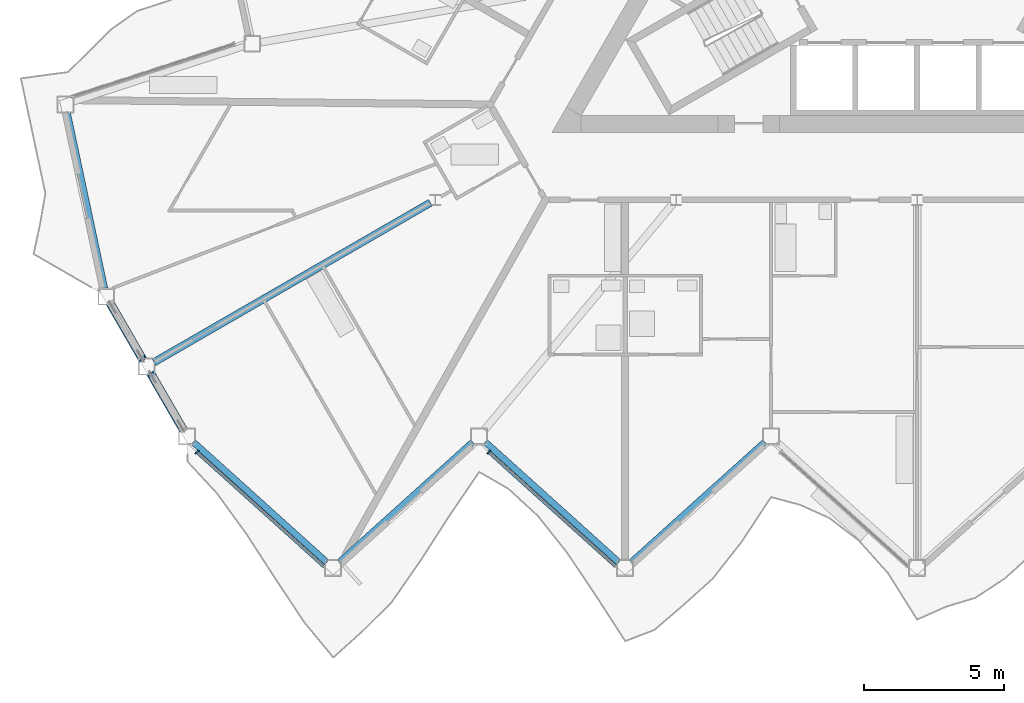
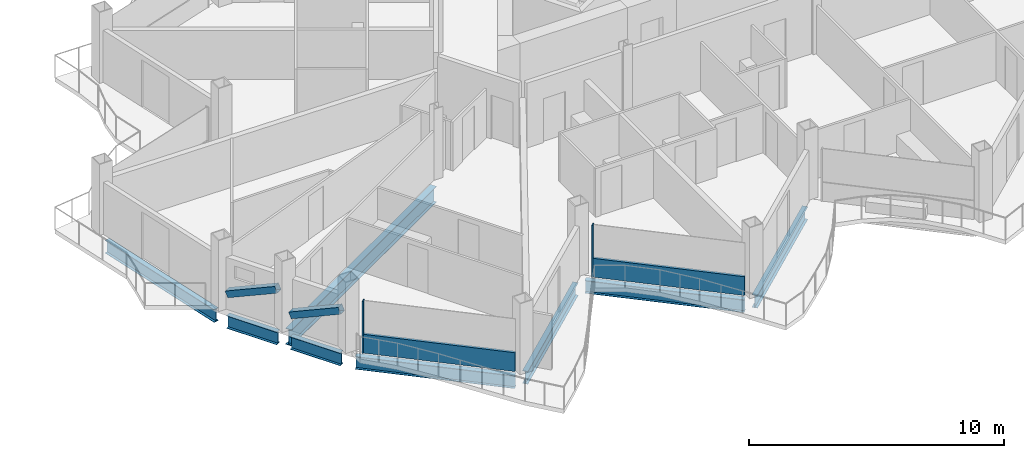
# One storey, part 4 of 27: 8 beams, 6 members, 2 elements without a shape of their own.
"""IFC4 building model written with IfcOpenShell, lengths in metres."""

from ifc_helpers import new_model, si_unit, direction, frame, origin, origin_2d, place, context, subcontext, project, spatial, rectangle, hollow_rectangle, i_section, extrude, material, layer, layer_set, material_profile, profile_set, type_object, element, aggregate, save


model = new_model("IFC4")

# Units and contexts
model_context = context("Model", 3, precision=1e-05, world=origin(), true_north=direction((0.0, 1.0)))
body_context = subcontext(model_context, "Body", "Model", "MODEL_VIEW")
ifc_project = project(units=[si_unit("LENGTHUNIT", "METRE"), si_unit("AREAUNIT", "SQUARE_METRE"), si_unit("VOLUMEUNIT", "CUBIC_METRE"), si_unit("PLANEANGLEUNIT", "RADIAN"), si_unit("MASSUNIT", "GRAM", prefix="KILO")], contexts=[model_context])

# Site, building, storey
site_placement = place(None, origin())
site = spatial("IfcSite", under=ifc_project, at=site_placement, CompositionType="ELEMENT")
building_placement = place(site_placement, origin())
building = spatial("IfcBuilding", under=site, at=building_placement, Name="Cormorant Prow Tower", CompositionType="ELEMENT")
storey_placement = place(building_placement, frame((0.0, 0.0, 332.39990234375)))
storey = spatial("IfcBuildingStorey", under=building, at=storey_placement, Name="L74", CompositionType="ELEMENT", Elevation=332.39990234375)

# Members
ifc_material_1 = material(Name="Structural steel ASTM A500 Gr C", Category="steel")
ifc_material_profile_1 = material_profile(ifc_material_1, hollow_rectangle(XDim=0.3046875, YDim=0.3046875, WallThickness=0.01171875, at=origin_2d()), Name="HSS12x12x1/2")
ifc_profile_set_1 = profile_set([ifc_material_profile_1], Name="Structural steel ASTM A500 Gr C")
member_type_1 = type_object("IfcMemberType", Name="Chamfer brace HSS12x12x1/2", PredefinedType="BRACE", material=ifc_profile_set_1)
for number, where, z_axis, x_axis, name in (
    (1, (-28.711669921875, -13.621826171875, 0.7412109375), (0.456265706889, -0.790324476185, 0.408911759503), (0.866038851724, 0.499976706761, 0.0), "Chamfer brace BR3 at WSW00 L74"),
    (2, (-27.27490234375, -16.110595703125, 0.7412109375), (0.456265706889, -0.790324476185, 0.408911759503), (0.866038851724, 0.499976706761, 0.0), "Chamfer brace BR3 at WSW01 L74"),
):
    element("IfcMember", number, at=place(storey_placement, frame(where, z_axis=z_axis, x_axis=x_axis)), inside=storey, type_object=member_type_1, Name=name, PredefinedType="BRACE", context=body_context, shape_type="SweptSolid", body=[
        extrude(hollow_rectangle(XDim=0.3046875, YDim=0.3046875, WallThickness=0.01171875, at=origin_2d()), origin(), (0.0, 0.0, 1.0), 2.459228515625),
    ])

# Beam
ifc_material_2 = material(Name="Structural steel ASTM A992 Gr 50", Category="steel")
ifc_material_profile_2 = material_profile(ifc_material_2, i_section(OverallWidth=0.267822265625, OverallDepth=0.77001953125, WebThickness=0.015625, FlangeThickness=0.025390625, at=origin_2d()), Name="W30x132")
ifc_profile_set_2 = profile_set([ifc_material_profile_2], Name="Structural steel ASTM A992 Gr 50")
beam_type_1 = type_object("IfcBeamType", Name="Radial floor beam W30x132", PredefinedType="BEAM", material=ifc_profile_set_2)
beam_1_placement = place(storey_placement, frame((-17.328125, -10.00439453125, -0.684814453125), z_axis=(-0.866024637028, -0.500001328059, 0.0), x_axis=(0.500001328059, -0.866024637028, 0.0)))
element("IfcBeam", 3, at=beam_1_placement, inside=storey, type_object=beam_type_1, Name="Radial floor beam FB3 5 L74", PredefinedType="BEAM", context=body_context, shape_type="SweptSolid", body=[
    extrude(i_section(OverallWidth=0.267822265625, OverallDepth=0.77001953125, WebThickness=0.015625, FlangeThickness=0.025390625, at=origin_2d()), origin(), (0.0, 0.0, 1.0), 11.3671875),
])

# Curtain wall, member
ifc_material_3 = material(Name="Aluminium 6063-T6", Category="aluminium")
ifc_layer = layer(ifc_material_3, 0.159912109375)
ifc_layer_set = layer_set([ifc_layer], Name="Aluminium 6063-T6")
curtain_wall_type = type_object("IfcCurtainWallType", Name="Residential unitised curtain wall 160", PredefinedType="NOTDEFINED", material=ifc_layer_set)
curtain_wall_1_placement = place(storey_placement, origin())
curtain_wall_1 = element("IfcCurtainWall", 4, at=curtain_wall_1_placement, inside=storey, type_object=curtain_wall_type, Name="Residential curtain wall S00", PredefinedType="NOTDEFINED")
ifc_material_4 = material(Name="Aluminium 6063-T6", Category="aluminium")
ifc_material_profile_3 = material_profile(ifc_material_4, rectangle(XDim=0.159912109375, YDim=0.050048828125, at=origin_2d()), Name="Residential mullion 50x160")
ifc_profile_set_3 = profile_set([ifc_material_profile_3], Name="Aluminium 6063-T6")
member_type_2 = type_object("IfcMemberType", Name="Residential mullion 50x160", PredefinedType="MULLION", material=ifc_profile_set_3)
member_1_placement = place(storey_placement, frame((-25.640380859375, -18.885009765625, 0.0), z_axis=(0.0, 0.0, 1.0), x_axis=(0.669130588628, 0.743144841442, 0.0)))
member_1 = element("IfcMember", 5, at=member_1_placement, type_object=member_type_2, Name="Residential mullion S00", PredefinedType="MULLION", context=body_context, shape_type="SweptSolid", body=[
    extrude(rectangle(XDim=0.159912109375, YDim=0.050048828125, at=origin_2d()), origin(), (0.0, 0.0, 1.0), 2.488037109375),
])

curtain_wall_2_placement = place(storey_placement, origin())
curtain_wall_2 = element("IfcCurtainWall", 6, at=curtain_wall_2_placement, inside=storey, type_object=curtain_wall_type, Name="Residential curtain wall S02", PredefinedType="NOTDEFINED")
member_2_placement = place(storey_placement, frame((-15.247802734375, -18.885009765625, 0.0), z_axis=(0.0, 0.0, 1.0), x_axis=(0.669130588628, 0.743144841442, 0.0)))
member_2 = element("IfcMember", 7, at=member_2_placement, type_object=member_type_2, Name="Residential mullion S02", PredefinedType="MULLION", context=body_context, shape_type="SweptSolid", body=[
    extrude(rectangle(XDim=0.159912109375, YDim=0.050048828125, at=origin_2d()), origin(), (0.0, 0.0, 1.0), 2.488037109375),
])

# Member
ifc_material_5 = material(Name="Terracotta", Category="masonry")
ifc_material_profile_4 = material_profile(ifc_material_5, rectangle(XDim=0.1201171875, YDim=0.89990234375, at=origin_2d()), Name="Residential terracotta spandrel rail 120x900")
ifc_profile_set_4 = profile_set([ifc_material_profile_4], Name="Terracotta")
member_type_3 = type_object("IfcMemberType", Name="Residential terracotta spandrel rail 120x900", PredefinedType="USERDEFINED", material=ifc_profile_set_4)
member_3_placement = place(storey_placement, frame((-25.62158203125, -18.901611328125, 0.4501953125), z_axis=(0.743136238665, -0.669140142857, 0.0), x_axis=(0.669140142857, 0.743136238665, 0.0)))
member_3 = element("IfcMember", 8, at=member_3_placement, type_object=member_type_3, Name="Residential spandrel rail S00", ObjectType="TRANSOM", PredefinedType="USERDEFINED", context=body_context, shape_type="SweptSolid", body=[
    extrude(rectangle(XDim=0.1201171875, YDim=0.89990234375, at=origin_2d()), origin(), (0.0, 0.0, 1.0), 6.07421875),
])

aggregate(curtain_wall_1, [member_1, member_3])

member_4_placement = place(storey_placement, frame((-15.229248046875, -18.901611328125, 0.4501953125), z_axis=(0.743154234406, -0.669120156538, 0.0), x_axis=(0.669120156538, 0.743154234406, 0.0)))
member_4 = element("IfcMember", 9, at=member_4_placement, type_object=member_type_3, Name="Residential spandrel rail S02", ObjectType="TRANSOM", PredefinedType="USERDEFINED", context=body_context, shape_type="SweptSolid", body=[
    extrude(rectangle(XDim=0.1201171875, YDim=0.89990234375, at=origin_2d()), origin(), (0.0, 0.0, 1.0), 6.07421875),
])

aggregate(curtain_wall_2, [member_2, member_4])

# Beams
ifc_material_6 = material(Name="Structural steel ASTM A992 Gr 50", Category="steel")
ifc_material_profile_5 = material_profile(ifc_material_6, i_section(OverallWidth=0.22900390625, OverallDepth=0.612060546875, WebThickness=0.011962890625, FlangeThickness=0.01953125, at=origin_2d()), Name="W24x84")
ifc_profile_set_5 = profile_set([ifc_material_profile_5], Name="Structural steel ASTM A992 Gr 50")
beam_type_2 = type_object("IfcBeamType", Name="Spandrel beam W24x84", PredefinedType="SPANDREL", material=ifc_profile_set_5)
beam_2_placement = place(storey_placement, frame((-25.7724609375, -18.527587890625, -0.60595703125), z_axis=(0.743144186555, -0.669131315954, 0.0), x_axis=(0.669131315954, 0.743144186555, 0.0)))
element("IfcBeam", 10, at=beam_2_placement, inside=storey, type_object=beam_type_2, Name="Spandrel beam SB3 S00-S01 L74", PredefinedType="SPANDREL", context=body_context, shape_type="SweptSolid", body=[
    extrude(i_section(OverallWidth=0.22900390625, OverallDepth=0.612060546875, WebThickness=0.011962890625, FlangeThickness=0.01953125, at=origin_2d()), origin(), (0.0, 0.0, 1.0), 6.39599609375),
])
beam_3_placement = place(storey_placement, frame((-20.573486328125, -22.807373046875, -0.60595703125), z_axis=(0.743161276225, 0.669112335502, 0.0), x_axis=(-0.669112335502, 0.743161276225, 0.0)))
element("IfcBeam", 11, at=beam_3_placement, inside=storey, type_object=beam_type_2, Name="Spandrel beam SB3 S01-S02 L74", PredefinedType="SPANDREL", context=body_context, shape_type="SweptSolid", body=[
    extrude(i_section(OverallWidth=0.22900390625, OverallDepth=0.612060546875, WebThickness=0.011962890625, FlangeThickness=0.01953125, at=origin_2d()), origin(), (0.0, 0.0, 1.0), 6.396240234375),
])
for number, where, z_axis, x_axis, name in (
    (12, (-15.374267578125, -18.527587890625, -0.60595703125), (0.743144186555, -0.669131315954, 0.0), (0.669131315954, 0.743144186555, 0.0), "Spandrel beam SB3 S02-S03 L74"),
    (13, (-10.17529296875, -22.807373046875, -0.60595703125), (0.743144186555, 0.669131315954, 0.0), (-0.669131315954, 0.743144186555, 0.0), "Spandrel beam SB3 S03-S04 L74"),
):
    element("IfcBeam", number, at=place(storey_placement, frame(where, z_axis=z_axis, x_axis=x_axis)), inside=storey, type_object=beam_type_2, Name=name, PredefinedType="SPANDREL", context=body_context, shape_type="SweptSolid", body=[
        extrude(i_section(OverallWidth=0.22900390625, OverallDepth=0.612060546875, WebThickness=0.011962890625, FlangeThickness=0.01953125, at=origin_2d()), origin(), (0.0, 0.0, 1.0), 6.39599609375),
    ])
beam_4_placement = place(storey_placement, frame((-30.261474609375, -6.799560546875, -0.60595703125), z_axis=(0.20791262393, -0.978147402394, 0.0), x_axis=(0.978147402394, 0.20791262393, 0.0)))
element("IfcBeam", 14, at=beam_4_placement, inside=storey, type_object=beam_type_2, Name="Spandrel beam SB3 WNW09-WSW00 L74", PredefinedType="SPANDREL", context=body_context, shape_type="SweptSolid", body=[
    extrude(i_section(OverallWidth=0.22900390625, OverallDepth=0.612060546875, WebThickness=0.011962890625, FlangeThickness=0.01953125, at=origin_2d()), origin(), (0.0, 0.0, 1.0), 6.396240234375),
])
beam_5_placement = place(storey_placement, frame((-28.71923828125, -13.609130859375, -0.60595703125), z_axis=(0.500053962254, -0.865994246421, 0.0), x_axis=(0.865994246421, 0.500053962254, 0.0)))
element("IfcBeam", 15, at=beam_5_placement, inside=storey, type_object=beam_type_2, Name="Spandrel beam SB3 WSW00-WSW01 L74", PredefinedType="SPANDREL", context=body_context, shape_type="SweptSolid", body=[
    extrude(i_section(OverallWidth=0.22900390625, OverallDepth=0.612060546875, WebThickness=0.011962890625, FlangeThickness=0.01953125, at=origin_2d()), origin(), (0.0, 0.0, 1.0), 2.273681640625),
])
beam_6_placement = place(storey_placement, frame((-27.2822265625, -16.097900390625, -0.60595703125), z_axis=(0.49997342893, -0.866040744055, 0.0), x_axis=(0.866040744055, 0.49997342893, 0.0)))
element("IfcBeam", 16, at=beam_6_placement, inside=storey, type_object=beam_type_2, Name="Spandrel beam SB3 WSW01-S00 L74", PredefinedType="SPANDREL", context=body_context, shape_type="SweptSolid", body=[
    extrude(i_section(OverallWidth=0.22900390625, OverallDepth=0.612060546875, WebThickness=0.011962890625, FlangeThickness=0.01953125, at=origin_2d()), origin(), (0.0, 0.0, 1.0), 2.2734375),
])

save(model, "model.ifc")
